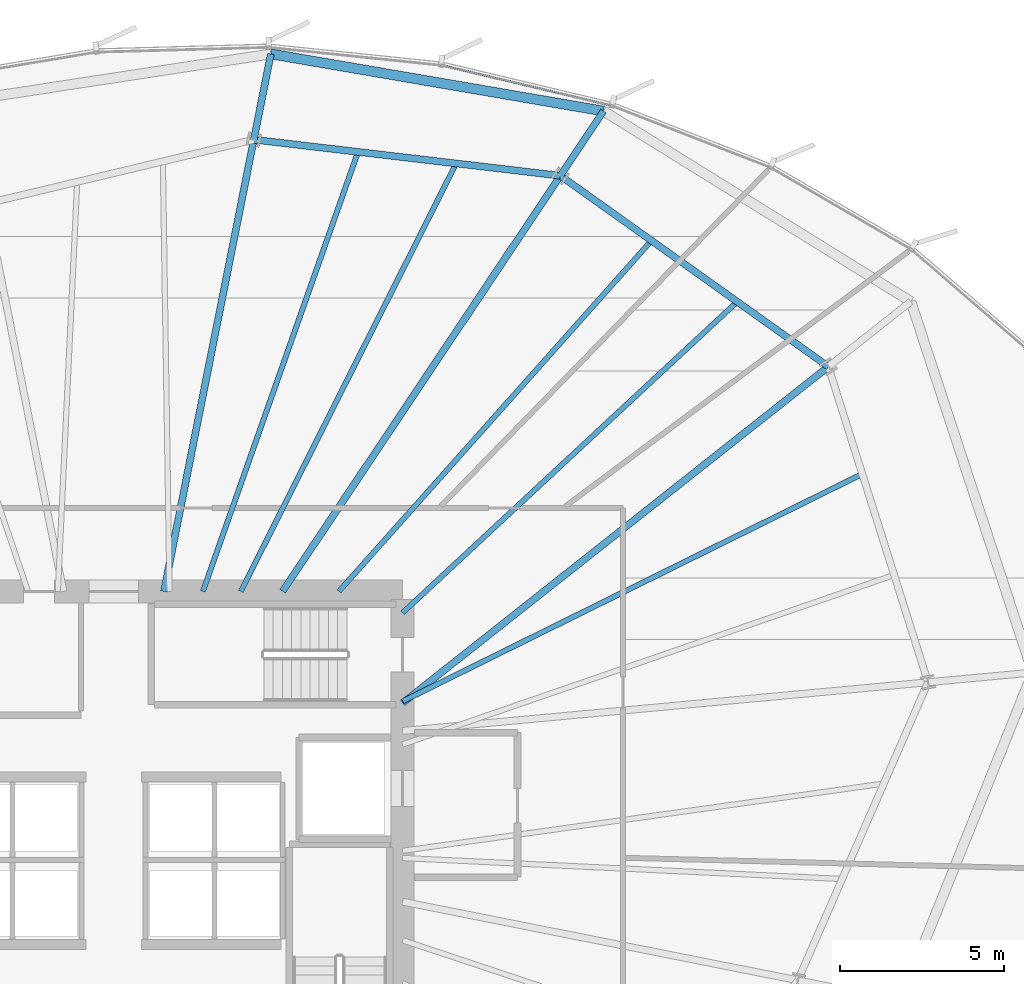
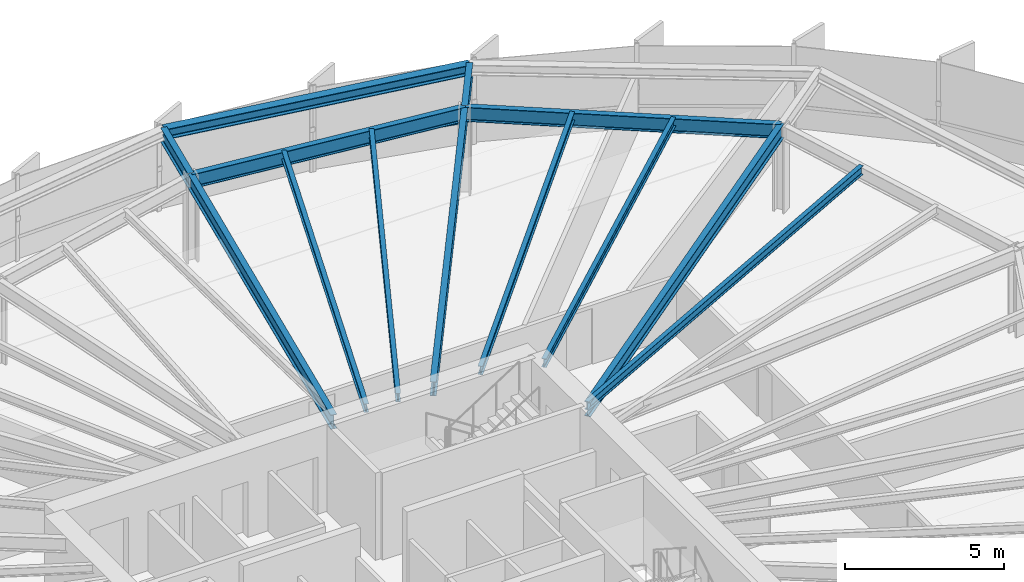
# One storey, part 23 of 35: 13 beams, 1 member, 1 element without a shape of its own.
"""IFC4 building model written with IfcOpenShell, lengths in metres."""

from ifc_helpers import new_model, si_unit, direction, frame, origin, origin_2d, place, context, subcontext, project, spatial, hollow_rectangle, i_section, extrude, source, transform, mapped, material, layer, layer_set, material_profile, profile_set, type_object, element, aggregate, save


model = new_model("IFC4")

# Units and contexts
model_context = context("Model", 3, precision=1e-05, world=origin(), true_north=direction((0.0, 1.0)))
body_context = subcontext(model_context, "Body", "Model", "MODEL_VIEW")
ifc_project = project(units=[si_unit("LENGTHUNIT", "METRE"), si_unit("AREAUNIT", "SQUARE_METRE"), si_unit("VOLUMEUNIT", "CUBIC_METRE"), si_unit("PLANEANGLEUNIT", "RADIAN"), si_unit("MASSUNIT", "GRAM", prefix="KILO"), si_unit("THERMODYNAMICTEMPERATUREUNIT", "KELVIN")], contexts=[model_context])

# Site, building, storey
site_placement = place(None, origin())
site = spatial("IfcSite", under=ifc_project, at=site_placement, CompositionType="ELEMENT")
building_placement = place(site_placement, origin())
building = spatial("IfcBuilding", under=site, at=building_placement, Name="Kethvar Cultural Tower", CompositionType="ELEMENT")
storey_placement = place(building_placement, frame((0.0, 0.0, 89.199951171875)))
storey = spatial("IfcBuildingStorey", under=building, at=storey_placement, Name="L21", CompositionType="ELEMENT", Elevation=89.199951171875)

# Beams
ifc_material_1 = material(Name="Steel S355J2", Category="steel")
ifc_material_profile_1 = material_profile(ifc_material_1, i_section(OverallWidth=0.2099609375, OverallDepth=0.550048828125, WebThickness=0.010986328125, FlangeThickness=0.01708984375, FilletRadius=0.02392578125, at=origin_2d()), Name="Steel S355J2 — IPE550")
ifc_profile_set_1 = profile_set([ifc_material_profile_1], Name="Steel S355J2 — IPE550")
beam_type_1 = type_object("IfcBeamType", Name="BM-IPE550", PredefinedType="BEAM", material=ifc_profile_set_1)
shared_shape_1 = source(origin(), body_context, "Body", "SweptSolid", [
    extrude(i_section(OverallWidth=0.2099609375, OverallDepth=0.550048828125, WebThickness=0.010986328125, FlangeThickness=0.01708984375, FilletRadius=0.02392578125, at=origin_2d()), origin(), (0.0, 0.0, 1.0), 16.527099609375),
])
beam_1_placement = place(storey_placement, frame((55.60009765625, 32.10009765625, 3.072998046875), z_axis=(0.784681939021, 0.619898584105, 0.0), x_axis=(-0.619898584105, 0.784681939021, 0.0)))
element("IfcBeam", 1, at=beam_1_placement, inside=storey, type_object=beam_type_1, Name="L21 Primary Radial Beam RB-02", PredefinedType="BEAM", context=body_context, shape_type="MappedRepresentation", body=[
    mapped(shared_shape_1, transform((0.0, 0.0, 0.0), scale=1.0)),
])
shared_shape_2 = source(origin(), body_context, "Body", "SweptSolid", [
    extrude(i_section(OverallWidth=0.2099609375, OverallDepth=0.550048828125, WebThickness=0.010986328125, FlangeThickness=0.01708984375, FilletRadius=0.02392578125, at=origin_2d()), origin(), (0.0, 0.0, 1.0), 15.22705078125),
])
beam_2_placement = place(storey_placement, frame((51.945068359375, 35.5, 3.072998046875), z_axis=(0.555569390778, 0.83147017507, 0.0), x_axis=(-0.83147017507, 0.555569390778, 0.0)))
element("IfcBeam", 2, at=beam_2_placement, inside=storey, type_object=beam_type_1, Name="L21 Primary Radial Beam RB-03", PredefinedType="BEAM", context=body_context, shape_type="MappedRepresentation", body=[
    mapped(shared_shape_2, transform((0.0, 0.0, 0.0), scale=1.0)),
])
shared_shape_3 = source(origin(), body_context, "Body", "SweptSolid", [
    extrude(i_section(OverallWidth=0.2099609375, OverallDepth=0.550048828125, WebThickness=0.010986328125, FlangeThickness=0.01708984375, FilletRadius=0.02392578125, at=origin_2d()), origin(), (0.0, 0.0, 1.0), 14.02880859375),
])
beam_3_placement = place(storey_placement, frame((48.33154296875, 35.5, 3.072998046875), z_axis=(0.195101986683, 0.980782960085, 0.0), x_axis=(-0.980782960085, 0.195101986683, 0.0)))
element("IfcBeam", 3, at=beam_3_placement, inside=storey, type_object=beam_type_1, Name="L21 Primary Radial Beam RB-04", PredefinedType="BEAM", context=body_context, shape_type="MappedRepresentation", body=[
    mapped(shared_shape_3, transform((0.0, 0.0, 0.0), scale=1.0)),
])
ifc_material_profile_2 = material_profile(ifc_material_1, i_section(OverallWidth=0.159912109375, OverallDepth=0.330078125, WebThickness=0.007568359375, FlangeThickness=0.011474609375, FilletRadius=0.01806640625, at=origin_2d()), Name="Steel S355J2 — IPE330")
ifc_profile_set_2 = profile_set([ifc_material_profile_2], Name="Steel S355J2 — IPE330")
beam_type_2 = type_object("IfcBeamType", Name="BM-J330", PredefinedType="JOIST", material=ifc_profile_set_2)
shared_shape_4 = source(origin(), body_context, "Body", "SweptSolid", [
    extrude(i_section(OverallWidth=0.159912109375, OverallDepth=0.330078125, WebThickness=0.007568359375, FlangeThickness=0.011474609375, FilletRadius=0.01806640625, at=origin_2d()), origin(), (0.0, 0.0, 1.0), 15.618896484375),
])
beam_4_placement = place(storey_placement, frame((55.60009765625, 32.152587890625, 3.18310546875), z_axis=(0.896344638992, 0.443357968408, 0.0), x_axis=(-0.443357968408, 0.896344638992, 0.0)))
element("IfcBeam", 4, at=beam_4_placement, inside=storey, type_object=beam_type_2, Name="L21 Composite Floor Joist J-01B", PredefinedType="JOIST", context=body_context, shape_type="MappedRepresentation", body=[
    mapped(shared_shape_4, transform((0.0, 0.0, 0.0), scale=1.0)),
])
shared_shape_5 = source(origin(), body_context, "Body", "SweptSolid", [
    extrude(i_section(OverallWidth=0.2099609375, OverallDepth=0.550048828125, WebThickness=0.010986328125, FlangeThickness=0.01708984375, FilletRadius=0.02392578125, at=origin_2d()), origin(), (0.0, 0.0, 1.0), 10.0234375),
])
beam_5_placement = place(storey_placement, frame((68.568603515625, 42.34521484375, 3.072998046875), z_axis=(-0.814470106239, 0.580205520521, 0.0), x_axis=(-0.580205520521, -0.814470106239, 0.0)))
element("IfcBeam", 5, at=beam_5_placement, inside=storey, type_object=beam_type_1, Name="L21 Column Ring Tie Beam CR-02", PredefinedType="BEAM", context=body_context, shape_type="MappedRepresentation", body=[
    mapped(shared_shape_5, transform((0.0, 0.0, 0.0), scale=1.0)),
])
shared_shape_6 = source(origin(), body_context, "Body", "SweptSolid", [
    extrude(i_section(OverallWidth=0.159912109375, OverallDepth=0.330078125, WebThickness=0.007568359375, FlangeThickness=0.011474609375, FilletRadius=0.01806640625, at=origin_2d()), origin(), (0.0, 0.0, 1.0), 13.91455078125),
])
beam_6_placement = place(storey_placement, frame((55.60009765625, 34.85009765625, 3.18310546875), z_axis=(0.732512843328, 0.680753211054, 0.0), x_axis=(-0.680753211054, 0.732512843328, 0.0)))
element("IfcBeam", 6, at=beam_6_placement, inside=storey, type_object=beam_type_2, Name="L21 Composite Floor Joist J-02A", PredefinedType="JOIST", context=body_context, shape_type="MappedRepresentation", body=[
    mapped(shared_shape_6, transform((0.0, 0.0, 0.0), scale=1.0)),
])
shared_shape_7 = source(origin(), body_context, "Body", "SweptSolid", [
    extrude(i_section(OverallWidth=0.159912109375, OverallDepth=0.330078125, WebThickness=0.007568359375, FlangeThickness=0.011474609375, FilletRadius=0.01806640625, at=origin_2d()), origin(), (0.0, 0.0, 1.0), 14.3095703125),
])
beam_7_placement = place(storey_placement, frame((53.660888671875, 35.5, 3.18310546875), z_axis=(0.665261381663, 0.746610537073, 0.0), x_axis=(-0.746610537073, 0.665261381663, 0.0)))
element("IfcBeam", 7, at=beam_7_placement, inside=storey, type_object=beam_type_2, Name="L21 Composite Floor Joist J-02B", PredefinedType="JOIST", context=body_context, shape_type="MappedRepresentation", body=[
    mapped(shared_shape_7, transform((0.0, 0.0, 0.0), scale=1.0)),
])
shared_shape_8 = source(origin(), body_context, "Body", "SweptSolid", [
    extrude(i_section(OverallWidth=0.2099609375, OverallDepth=0.550048828125, WebThickness=0.010986328125, FlangeThickness=0.01708984375, FilletRadius=0.02392578125, at=origin_2d()), origin(), (0.0, 0.0, 1.0), 9.400634765625),
])
beam_8_placement = place(storey_placement, frame((60.40478515625, 48.160888671875, 3.072998046875), z_axis=(-0.993150427046, 0.116842754407, 0.0), x_axis=(-0.116842754407, -0.993150427046, 0.0)))
element("IfcBeam", 8, at=beam_8_placement, inside=storey, type_object=beam_type_1, Name="L21 Column Ring Tie Beam CR-03", PredefinedType="BEAM", context=body_context, shape_type="MappedRepresentation", body=[
    mapped(shared_shape_8, transform((0.0, 0.0, 0.0), scale=1.0)),
])
shared_shape_9 = source(origin(), body_context, "Body", "SweptSolid", [
    extrude(i_section(OverallWidth=0.159912109375, OverallDepth=0.330078125, WebThickness=0.007568359375, FlangeThickness=0.011474609375, FilletRadius=0.01806640625, at=origin_2d()), origin(), (0.0, 0.0, 1.0), 14.590576171875),
])
beam_9_placement = place(storey_placement, frame((50.673583984375, 35.5, 3.18310546875), z_axis=(0.449394228778, 0.893333547529, 0.0), x_axis=(-0.893333547529, 0.449394228778, 0.0)))
element("IfcBeam", 9, at=beam_9_placement, inside=storey, type_object=beam_type_2, Name="L21 Composite Floor Joist J-03A", PredefinedType="JOIST", context=body_context, shape_type="MappedRepresentation", body=[
    mapped(shared_shape_9, transform((0.0, 0.0, 0.0), scale=1.0)),
])
shared_shape_10 = source(origin(), body_context, "Body", "SweptSolid", [
    extrude(i_section(OverallWidth=0.159912109375, OverallDepth=0.330078125, WebThickness=0.007568359375, FlangeThickness=0.011474609375, FilletRadius=0.01806640625, at=origin_2d()), origin(), (0.0, 0.0, 1.0), 14.1953125),
])
beam_10_placement = place(storey_placement, frame((49.517822265625, 35.5, 3.18310546875), z_axis=(0.332865098769, 0.942974456717, 0.0), x_axis=(-0.942974456717, 0.332865098769, 0.0)))
element("IfcBeam", 10, at=beam_10_placement, inside=storey, type_object=beam_type_2, Name="L21 Composite Floor Joist J-03B", PredefinedType="JOIST", context=body_context, shape_type="MappedRepresentation", body=[
    mapped(shared_shape_10, transform((0.0, 0.0, 0.0), scale=1.0)),
])
shared_shape_11 = source(origin(), body_context, "Body", "SweptSolid", [
    extrude(i_section(OverallWidth=0.2099609375, OverallDepth=0.550048828125, WebThickness=0.010986328125, FlangeThickness=0.01708984375, FilletRadius=0.02392578125, at=origin_2d()), origin(), (0.0, 0.0, 1.0), 2.367919921875),
])
beam_11_placement = place(storey_placement, frame((60.40478515625, 48.160888671875, 3.072998046875), z_axis=(0.555508881381, 0.831510602883, 0.0), x_axis=(-0.831510602883, 0.555508881381, 0.0)))
element("IfcBeam", 11, at=beam_11_placement, inside=storey, type_object=beam_type_1, Name="L21 Perimeter Cantilever Beam RC-03", PredefinedType="BEAM", context=body_context, shape_type="MappedRepresentation", body=[
    mapped(shared_shape_11, transform((0.0, 0.0, 0.0), scale=1.0)),
])
shared_shape_12 = source(origin(), body_context, "Body", "SweptSolid", [
    extrude(i_section(OverallWidth=0.2099609375, OverallDepth=0.550048828125, WebThickness=0.010986328125, FlangeThickness=0.01708984375, FilletRadius=0.02392578125, at=origin_2d()), origin(), (0.0, 0.0, 1.0), 2.66162109375),
])
beam_12_placement = place(storey_placement, frame((51.068603515625, 49.25927734375, 3.072998046875), z_axis=(0.195092973857, 0.980784752916, 0.0), x_axis=(-0.980784752916, 0.195092973857, 0.0)))
element("IfcBeam", 12, at=beam_12_placement, inside=storey, type_object=beam_type_1, Name="L21 Perimeter Cantilever Beam RC-04", PredefinedType="BEAM", context=body_context, shape_type="MappedRepresentation", body=[
    mapped(shared_shape_12, transform((0.0, 0.0, 0.0), scale=1.0)),
])
ifc_material_profile_3 = material_profile(ifc_material_1, i_section(OverallWidth=0.300048828125, OverallDepth=0.39990234375, WebThickness=0.013427734375, FlangeThickness=0.02392578125, FilletRadius=0.027099609375, at=origin_2d()), Name="Steel S355J2 — HEB400")
ifc_profile_set_3 = profile_set([ifc_material_profile_3], Name="Steel S355J2 — HEB400")
beam_type_3 = type_object("IfcBeamType", Name="BM-SP400", PredefinedType="SPANDREL", material=ifc_profile_set_3)
shared_shape_13 = source(origin(), body_context, "Body", "SweptSolid", [
    extrude(i_section(OverallWidth=0.300048828125, OverallDepth=0.39990234375, WebThickness=0.013427734375, FlangeThickness=0.02392578125, FilletRadius=0.027099609375, at=origin_2d()), origin(), (0.0, 0.0, 1.0), 10.28076171875),
])
beam_13_placement = place(storey_placement, frame((61.72021484375, 50.1298828125, 3.14794921875), z_axis=(-0.985573287013, 0.169249212485, 0.0), x_axis=(-0.169249212485, -0.985573287013, 0.0)))
element("IfcBeam", 13, at=beam_13_placement, inside=storey, type_object=beam_type_3, Name="L21 Perimeter Spandrel Beam SP-03", PredefinedType="SPANDREL", context=body_context, shape_type="MappedRepresentation", body=[
    mapped(shared_shape_13, transform((0.0, 0.0, 0.0), scale=1.0)),
])

# Curtain wall, member
ifc_material_2 = material(Name="Aluminium 6063-T6", Category="aluminium")
ifc_layer = layer(ifc_material_2, 0.179931640625, Name="Aluminium 6063-T6", Category="aluminium")
ifc_layer_set = layer_set([ifc_layer], Name="Aluminium 6063-T6 (180 mm)")
curtain_wall_type = type_object("IfcCurtainWallType", Name="CW-SYS-03-Z2", PredefinedType="NOTDEFINED", material=ifc_layer_set)
curtain_wall_placement = place(storey_placement, origin())
curtain_wall = element("IfcCurtainWall", 14, at=curtain_wall_placement, inside=storey, type_object=curtain_wall_type, Name="L21 Curtain Wall Run 01", PredefinedType="NOTDEFINED")
ifc_material_profile_4 = material_profile(ifc_material_2, hollow_rectangle(XDim=0.054931640625, YDim=0.1201171875, WallThickness=0.00390625, at=origin_2d()), Name="Aluminium 6063-T6 — RHS120x55x4")
ifc_profile_set_4 = profile_set([ifc_material_profile_4], Name="Aluminium 6063-T6 — RHS120x55x4")
member_type = type_object("IfcMemberType", Name="CW-SYS-03-Z2-TRN", PredefinedType="USERDEFINED", material=ifc_profile_set_4)
shared_shape_14 = source(origin(), body_context, "Body", "SweptSolid", [
    extrude(hollow_rectangle(XDim=0.054931640625, YDim=0.1201171875, WallThickness=0.00390625, at=origin_2d()), origin(), (0.0, 0.0, 1.0), 5.235595703125),
])
member_placement = place(storey_placement, frame((61.93310546875, 50.302978515625, 0.949951171875), z_axis=(-0.972873219236, 0.231338927318, 0.0), x_axis=(-0.231338927318, -0.972873219236, 0.0)))
member = element("IfcMember", 15, at=member_placement, type_object=member_type, Name="CW-L21-R01 Transom 6", ObjectType="TRANSOM", PredefinedType="USERDEFINED", context=body_context, shape_type="MappedRepresentation", body=[
    mapped(shared_shape_14, transform((0.0, 0.0, 0.0), scale=1.0)),
])
aggregate(curtain_wall, [member])

save(model, "model.ifc")
